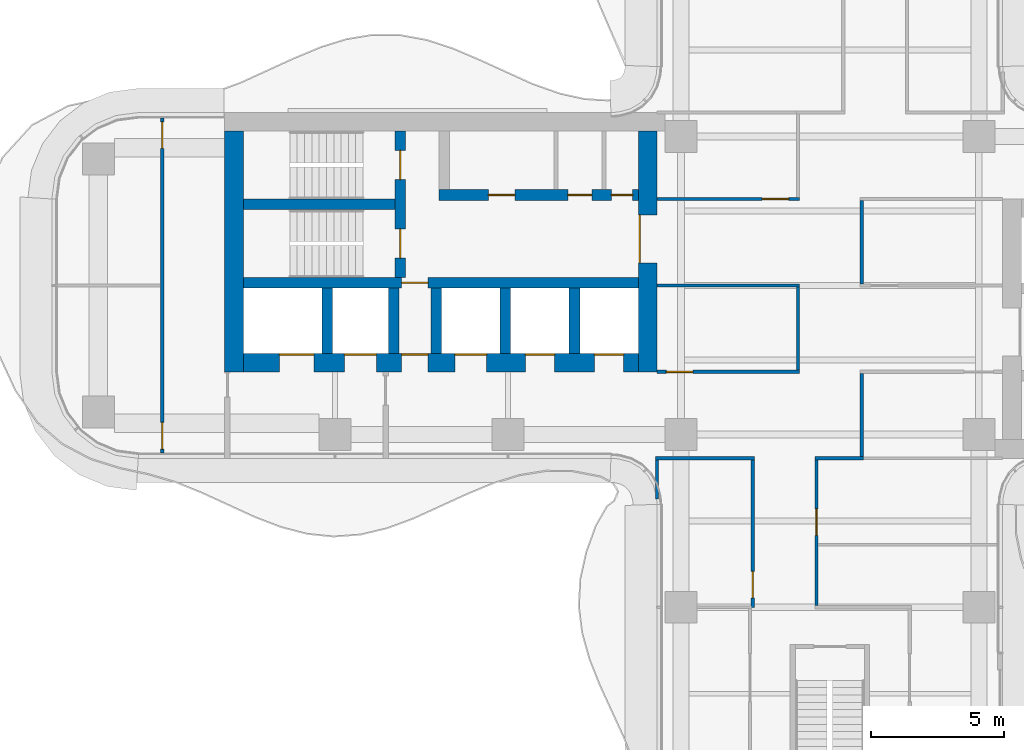
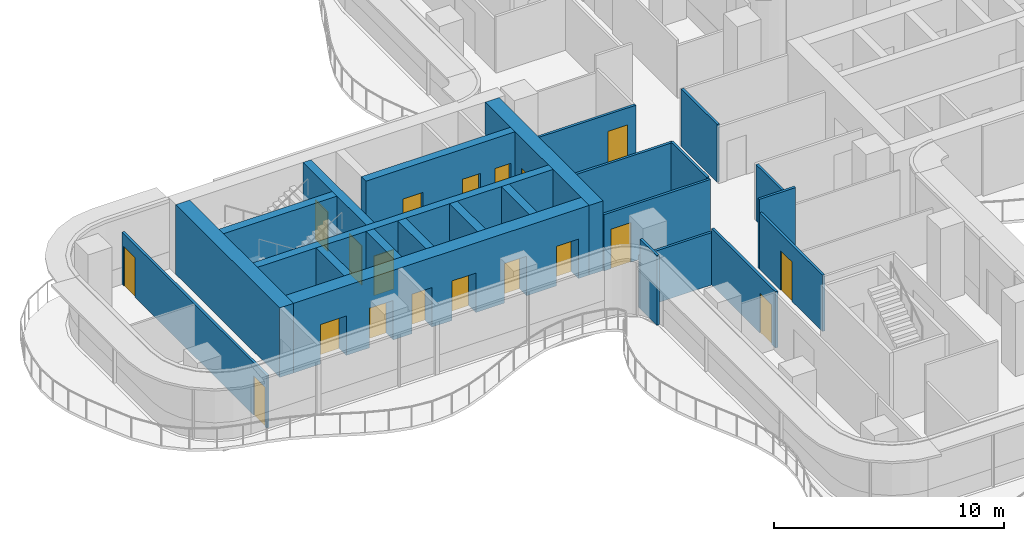
# One storey, part 13 of 18: 24 walls, 19 doors, 19 openings.
"""IFC4 building model written with IfcOpenShell, lengths in metres."""

from ifc_helpers import new_model, si_unit, direction, frame, frame_2d, origin, place, context, subcontext, project, spatial, rectangle, extrude, source, transform, mapped, material, layer, layer_set, type_object, element, fill, save


model = new_model("IFC4")

# Units and contexts
model_context = context("Model", 3, precision=1e-05, world=origin(), true_north=direction((0.0, 1.0)))
body_context = subcontext(model_context, "Body", "Model", "MODEL_VIEW")
ifc_project = project(units=[si_unit("LENGTHUNIT", "METRE"), si_unit("AREAUNIT", "SQUARE_METRE"), si_unit("VOLUMEUNIT", "CUBIC_METRE"), si_unit("PLANEANGLEUNIT", "RADIAN"), si_unit("MASSUNIT", "GRAM", prefix="KILO")], contexts=[model_context])

# Site, building, storey
site_placement = place(None, origin())
site = spatial("IfcSite", under=ifc_project, at=site_placement, CompositionType="ELEMENT")
building_placement = place(site_placement, origin())
building = spatial("IfcBuilding", under=site, at=building_placement, Name="Trellis Farm Tower", CompositionType="ELEMENT")
storey_placement = place(building_placement, frame((0.0, 0.0, 193.199951171875)))
storey = spatial("IfcBuildingStorey", under=building, at=storey_placement, Name="L42", CompositionType="ELEMENT", Elevation=193.199951171875)

# Wall, opening, door
ifc_material_1 = material(Name="Concrete C70/85", Category="concrete")
ifc_layer_1 = layer(ifc_material_1, 0.699951171875)
ifc_layer_set_1 = layer_set([ifc_layer_1], Name="CORE OUTER WALL 700 CONCRETE C70/85")
wall_type_1 = type_object("IfcWallType", Name="CORE OUTER WALL 700 CONCRETE C70/85", PredefinedType="SHEAR", material=ifc_layer_set_1)
shared_shape_1 = source(origin(), body_context, "Body", "SweptSolid", [
    extrude(rectangle(XDim=9.050048828125, YDim=0.699951171875, at=frame_2d((4.52490234375, 0.0))), origin(), (0.0, 0.0, 1.0), 3.699951171875),
])
wall_1_placement = place(storey_placement, frame((-6.85009765625, 5.800048828125, 0.0), z_axis=(0.0, 0.0, 1.0), x_axis=(0.0, -1.0, 0.0)))
wall_1 = element("IfcWall", 1, at=wall_1_placement, inside=storey, type_object=wall_type_1, Name="Core wall", PredefinedType="SHEAR", context=body_context, shape_type="MappedRepresentation", body=[
    mapped(shared_shape_1, transform((0.0, 0.0, 0.0))),
])
shared_shape_2 = source(origin(), body_context, "Body", "SweptSolid", [
    extrude(rectangle(XDim=1.800048828125, YDim=2.10009765625, at=frame_2d((0.89990234375, 1.050048828125))), frame((0.0, 0.360107421875, 0.0), z_axis=(0.0, -1.0, 0.0), x_axis=(1.0, 0.0, 0.0)), (0.0, 0.0, 1.0), 0.72021484375),
])
opening_1_placement = place(wall_1_placement, frame((3.14990234375, 0.0, 0.0)))
opening_1 = element("IfcOpeningElement", 2, at=opening_1_placement, cuts=wall_1, Name="Opening DC87", PredefinedType="OPENING", context=body_context, shape_type="MappedRepresentation", body=[
    mapped(shared_shape_2, transform((0.0, 0.0, 0.0))),
])
ifc_material_2 = material(Name="Steel", Category="steel")
door_type_1 = type_object("IfcDoorType", Name="CORE FIRE DOOR DOUBLE 1800 X 2100", OperationType="DOUBLE_DOOR_SINGLE_SWING", PredefinedType="DOOR", material=ifc_material_2)
shared_shape_3 = source(origin(), body_context, "Body", "SweptSolid", [
    extrude(rectangle(XDim=1.800048828125, YDim=2.10009765625, at=frame_2d((0.89990234375, 1.050048828125))), frame((0.0, -0.27490234375, 0.0), z_axis=(0.0, -1.0, 0.0), x_axis=(1.0, 0.0, 0.0)), (0.0, 0.0, 1.0), 0.050048828125),
])
door_1_placement = place(opening_1_placement, origin())
door_1 = element("IfcDoor", 3, at=door_1_placement, inside=storey, type_object=door_type_1, Name="Core door", OperationType="DOUBLE_DOOR_SINGLE_SWING", OverallHeight=2.10009765625, OverallWidth=1.800048828125, PredefinedType="DOOR", context=body_context, shape_type="MappedRepresentation", body=[
    mapped(shared_shape_3, transform((0.0, 0.0, 0.0))),
])
fill(opening_1, door_1)

# Walls
wall_2_placement = place(storey_placement, frame((-22.39990234375, 5.800048828125, 0.0), z_axis=(0.0, 0.0, 1.0), x_axis=(0.0, -1.0, 0.0)))
element("IfcWall", 4, at=wall_2_placement, inside=storey, type_object=wall_type_1, Name="Core wall", PredefinedType="SHEAR", context=body_context, shape_type="MappedRepresentation", body=[
    mapped(shared_shape_1, transform((0.0, 0.0, 0.0))),
])
ifc_layer_2 = layer(ifc_material_1, 0.39990234375)
ifc_layer_set_2 = layer_set([ifc_layer_2], Name="CORE INNER WALL 400 CONCRETE C70/85")
wall_type_2 = type_object("IfcWallType", Name="CORE INNER WALL 400 CONCRETE C70/85", PredefinedType="SHEAR", material=ifc_layer_set_2)
shared_shape_4 = source(origin(), body_context, "Body", "SweptSolid", [
    extrude(rectangle(XDim=2.449951171875, YDim=0.39990234375, at=frame_2d((1.22509765625, 0.0))), origin(), (0.0, 0.0, 1.0), 3.699951171875),
])
for number, where, z_axis, x_axis, name in (
    (5, (-9.60009765625, -0.10009765625, 0.0), (0.0, 0.0, 1.0), (0.0, -1.0, 0.0), "Core wall"),
    (6, (-12.199951171875, -0.10009765625, 0.0), (0.0, 0.0, 1.0), (0.0, -1.0, 0.0), "Core wall"),
    (7, (-14.800048828125, -0.10009765625, 0.0), (0.0, 0.0, 1.0), (0.0, -1.0, 0.0), "Core wall"),
    (8, (-16.39990234375, -0.10009765625, 0.0), (0.0, 0.0, 1.0), (0.0, -1.0, 0.0), "Core wall"),
    (9, (-18.89990234375, -0.10009765625, 0.0), (0.0, 0.0, 1.0), (0.0, -1.0, 0.0), "Core wall"),
):
    element("IfcWall", number, at=place(storey_placement, frame(where, z_axis=z_axis, x_axis=x_axis)), inside=storey, type_object=wall_type_2, Name=name, PredefinedType="SHEAR", context=body_context, shape_type="MappedRepresentation", body=[
        mapped(shared_shape_4, transform((0.0, 0.0, 0.0))),
    ])

# Wall, openings, doors
shared_shape_5 = source(origin(), body_context, "Body", "SweptSolid", [
    extrude(rectangle(XDim=14.85009765625, YDim=0.699951171875, at=frame_2d((7.425048828125, 0.0))), origin(), (0.0, 0.0, 1.0), 3.699951171875),
])
wall_3_placement = place(storey_placement, frame((-7.199951171875, -2.89990234375, 0.0), z_axis=(0.0, 0.0, 1.0), x_axis=(-1.0, 0.0, 0.0)))
wall_3 = element("IfcWall", 10, at=wall_3_placement, inside=storey, type_object=wall_type_1, Name="Core wall", PredefinedType="SHEAR", context=body_context, shape_type="MappedRepresentation", body=[
    mapped(shared_shape_5, transform((0.0, 0.0, 0.0))),
])
shared_shape_6 = source(origin(), body_context, "Body", "SweptSolid", [
    extrude(rectangle(XDim=1.10009765625, YDim=2.10009765625, at=frame_2d((0.550048828125, 1.050048828125))), frame((0.0, 0.360107421875, 0.0), z_axis=(0.0, -1.0, 0.0), x_axis=(1.0, 0.0, 0.0)), (0.0, 0.0, 1.0), 0.72021484375),
])
opening_2_placement = place(wall_3_placement, frame((0.550048828125, 0.0, 0.0)))
opening_2 = element("IfcOpeningElement", 11, at=opening_2_placement, cuts=wall_3, Name="Opening LD12", PredefinedType="OPENING", context=body_context, shape_type="MappedRepresentation", body=[
    mapped(shared_shape_6, transform((0.0, 0.0, 0.0))),
])
opening_3_placement = place(wall_3_placement, frame((3.14990234375, 0.0, 0.0)))
opening_3 = element("IfcOpeningElement", 12, at=opening_3_placement, cuts=wall_3, Name="Opening LD13", PredefinedType="OPENING", context=body_context, shape_type="MappedRepresentation", body=[
    mapped(shared_shape_6, transform((0.0, 0.0, 0.0))),
])
shared_shape_7 = source(origin(), body_context, "Body", "SweptSolid", [
    extrude(rectangle(XDim=1.199951171875, YDim=2.10009765625, at=frame_2d((0.60009765625, 1.050048828125))), frame((0.0, 0.360107421875, 0.0), z_axis=(0.0, -1.0, 0.0), x_axis=(1.0, 0.0, 0.0)), (0.0, 0.0, 1.0), 0.72021484375),
])
opening_4_placement = place(wall_3_placement, frame((5.699951171875, 0.0, 0.0)))
opening_4 = element("IfcOpeningElement", 13, at=opening_4_placement, cuts=wall_3, Name="Opening LD14", PredefinedType="OPENING", context=body_context, shape_type="MappedRepresentation", body=[
    mapped(shared_shape_7, transform((0.0, 0.0, 0.0))),
])
shared_shape_8 = source(origin(), body_context, "Body", "SweptSolid", [
    extrude(rectangle(XDim=1.300048828125, YDim=2.10009765625, at=frame_2d((0.64990234375, 1.050048828125))), frame((0.0, 0.360107421875, 0.0), z_axis=(0.0, -1.0, 0.0), x_axis=(1.0, 0.0, 0.0)), (0.0, 0.0, 1.0), 0.72021484375),
])
opening_5_placement = place(wall_3_placement, frame((12.199951171875, 0.0, 0.0)))
opening_5 = element("IfcOpeningElement", 14, at=opening_5_placement, cuts=wall_3, Name="Opening LD15", PredefinedType="OPENING", context=body_context, shape_type="MappedRepresentation", body=[
    mapped(shared_shape_8, transform((0.0, 0.0, 0.0))),
])
opening_6_placement = place(wall_3_placement, frame((9.85009765625, 0.0, 0.0)))
opening_6 = element("IfcOpeningElement", 15, at=opening_6_placement, cuts=wall_3, Name="Opening LD16", PredefinedType="OPENING", context=body_context, shape_type="MappedRepresentation", body=[
    mapped(shared_shape_7, transform((0.0, 0.0, 0.0))),
])
shared_shape_9 = source(origin(), body_context, "Body", "SweptSolid", [
    extrude(rectangle(XDim=1.0, YDim=2.10009765625, at=frame_2d((0.5, 1.050048828125))), frame((0.0, 0.360107421875, 0.0), z_axis=(0.0, -1.0, 0.0), x_axis=(1.0, 0.0, 0.0)), (0.0, 0.0, 1.0), 0.72021484375),
])
opening_7_placement = place(wall_3_placement, frame((7.89990234375, 0.0, 0.0)))
opening_7 = element("IfcOpeningElement", 16, at=opening_7_placement, cuts=wall_3, Name="Opening DC92", PredefinedType="OPENING", context=body_context, shape_type="MappedRepresentation", body=[
    mapped(shared_shape_9, transform((0.0, 0.0, 0.0))),
])
door_type_2 = type_object("IfcDoorType", Name="CORE FIRE DOOR 1000 X 2100", OperationType="NOTDEFINED", PredefinedType="DOOR", material=ifc_material_2)
shared_shape_10 = source(origin(), body_context, "Body", "SweptSolid", [
    extrude(rectangle(XDim=1.0, YDim=2.10009765625, at=frame_2d((0.5, 1.050048828125))), frame((0.0, -0.27490234375, 0.0), z_axis=(0.0, -1.0, 0.0), x_axis=(1.0, 0.0, 0.0)), (0.0, 0.0, 1.0), 0.050048828125),
])
door_2_placement = place(opening_7_placement, origin())
door_2 = element("IfcDoor", 17, at=door_2_placement, inside=storey, type_object=door_type_2, Name="Core door", OperationType="SINGLE_SWING_LEFT", OverallHeight=2.10009765625, OverallWidth=1.0, PredefinedType="DOOR", context=body_context, shape_type="MappedRepresentation", body=[
    mapped(shared_shape_10, transform((0.0, 0.0, 0.0))),
])
fill(opening_7, door_2)
ifc_material_3 = material(Name="Stainless steel", Category="steel")
door_type_3 = type_object("IfcDoorType", Name="LIFT LANDING DOOR 1300 X 2100", OperationType="DOUBLE_DOOR_SLIDING", PredefinedType="DOOR", material=ifc_material_3)
shared_shape_11 = source(origin(), body_context, "Body", "SweptSolid", [
    extrude(rectangle(XDim=1.300048828125, YDim=2.10009765625, at=frame_2d((0.64990234375, 1.050048828125))), frame((0.0, -0.27490234375, 0.0), z_axis=(0.0, -1.0, 0.0), x_axis=(1.0, 0.0, 0.0)), (0.0, 0.0, 1.0), 0.050048828125),
])
door_3_placement = place(opening_5_placement, origin())
door_3 = element("IfcDoor", 18, at=door_3_placement, inside=storey, type_object=door_type_3, Name="Lift landing door", OperationType="DOUBLE_DOOR_SLIDING", OverallHeight=2.10009765625, OverallWidth=1.300048828125, PredefinedType="DOOR", context=body_context, shape_type="MappedRepresentation", body=[
    mapped(shared_shape_11, transform((0.0, 0.0, 0.0))),
])
fill(opening_5, door_3)
door_type_4 = type_object("IfcDoorType", Name="LIFT LANDING DOOR 1200 X 2100", OperationType="DOUBLE_DOOR_SLIDING", PredefinedType="DOOR", material=ifc_material_3)
shared_shape_12 = source(origin(), body_context, "Body", "SweptSolid", [
    extrude(rectangle(XDim=1.199951171875, YDim=2.10009765625, at=frame_2d((0.60009765625, 1.050048828125))), frame((0.0, -0.27490234375, 0.0), z_axis=(0.0, -1.0, 0.0), x_axis=(1.0, 0.0, 0.0)), (0.0, 0.0, 1.0), 0.050048828125),
])
door_4_placement = place(opening_4_placement, origin())
door_4 = element("IfcDoor", 19, at=door_4_placement, inside=storey, type_object=door_type_4, Name="Lift landing door", OperationType="DOUBLE_DOOR_SLIDING", OverallHeight=2.10009765625, OverallWidth=1.199951171875, PredefinedType="DOOR", context=body_context, shape_type="MappedRepresentation", body=[
    mapped(shared_shape_12, transform((0.0, 0.0, 0.0))),
])
fill(opening_4, door_4)
door_5_placement = place(opening_6_placement, origin())
door_5 = element("IfcDoor", 20, at=door_5_placement, inside=storey, type_object=door_type_4, Name="Lift landing door", OperationType="DOUBLE_DOOR_SLIDING", OverallHeight=2.10009765625, OverallWidth=1.199951171875, PredefinedType="DOOR", context=body_context, shape_type="MappedRepresentation", body=[
    mapped(shared_shape_12, transform((0.0, 0.0, 0.0))),
])
fill(opening_6, door_5)
door_type_5 = type_object("IfcDoorType", Name="LIFT LANDING DOOR 1100 X 2100", OperationType="DOUBLE_DOOR_SLIDING", PredefinedType="DOOR", material=ifc_material_3)
shared_shape_13 = source(origin(), body_context, "Body", "SweptSolid", [
    extrude(rectangle(XDim=1.10009765625, YDim=2.10009765625, at=frame_2d((0.550048828125, 1.050048828125))), frame((0.0, -0.27490234375, 0.0), z_axis=(0.0, -1.0, 0.0), x_axis=(1.0, 0.0, 0.0)), (0.0, 0.0, 1.0), 0.050048828125),
])
door_6_placement = place(opening_2_placement, origin())
door_6 = element("IfcDoor", 21, at=door_6_placement, inside=storey, type_object=door_type_5, Name="Lift landing door", OperationType="DOUBLE_DOOR_SLIDING", OverallHeight=2.10009765625, OverallWidth=1.10009765625, PredefinedType="DOOR", context=body_context, shape_type="MappedRepresentation", body=[
    mapped(shared_shape_13, transform((0.0, 0.0, 0.0))),
])
fill(opening_2, door_6)
door_7_placement = place(opening_3_placement, origin())
door_7 = element("IfcDoor", 22, at=door_7_placement, inside=storey, type_object=door_type_5, Name="Lift landing door", OperationType="DOUBLE_DOOR_SLIDING", OverallHeight=2.10009765625, OverallWidth=1.10009765625, PredefinedType="DOOR", context=body_context, shape_type="MappedRepresentation", body=[
    mapped(shared_shape_13, transform((0.0, 0.0, 0.0))),
])
fill(opening_3, door_7)

shared_shape_14 = source(origin(), body_context, "Body", "SweptSolid", [
    extrude(rectangle(XDim=7.5, YDim=0.39990234375, at=frame_2d((3.75, 0.0))), origin(), (0.0, 0.0, 1.0), 3.699951171875),
])
wall_4_placement = place(storey_placement, frame((-7.199951171875, 3.39990234375, 0.0), z_axis=(0.0, 0.0, 1.0), x_axis=(-1.0, 0.0, 0.0)))
wall_4 = element("IfcWall", 23, at=wall_4_placement, inside=storey, type_object=wall_type_2, Name="Core wall", PredefinedType="SHEAR", context=body_context, shape_type="MappedRepresentation", body=[
    mapped(shared_shape_14, transform((0.0, 0.0, 0.0))),
])
shared_shape_15 = source(origin(), body_context, "Body", "SweptSolid", [
    extrude(rectangle(XDim=0.800048828125, YDim=2.10009765625, at=frame_2d((0.39990234375, 1.050048828125))), frame((0.0, 0.2099609375, 0.0), z_axis=(0.0, -1.0, 0.0), x_axis=(1.0, 0.0, 0.0)), (0.0, 0.0, 1.0), 0.419921875),
])
opening_8_placement = place(wall_4_placement, frame((0.21240234375, 0.0, 0.0)))
opening_8 = element("IfcOpeningElement", 24, at=opening_8_placement, cuts=wall_4, Name="Opening DC137", PredefinedType="OPENING", context=body_context, shape_type="MappedRepresentation", body=[
    mapped(shared_shape_15, transform((0.0, 0.0, 0.0))),
])
shared_shape_16 = source(origin(), body_context, "Body", "SweptSolid", [
    extrude(rectangle(XDim=0.89990234375, YDim=2.10009765625, at=frame_2d((0.449951171875, 1.050048828125))), frame((0.0, 0.2099609375, 0.0), z_axis=(0.0, -1.0, 0.0), x_axis=(1.0, 0.0, 0.0)), (0.0, 0.0, 1.0), 0.419921875),
])
opening_9_placement = place(wall_4_placement, frame((1.75, 0.0, 0.0)))
opening_9 = element("IfcOpeningElement", 25, at=opening_9_placement, cuts=wall_4, Name="Opening DC146", PredefinedType="OPENING", context=body_context, shape_type="MappedRepresentation", body=[
    mapped(shared_shape_16, transform((0.0, 0.0, 0.0))),
])
shared_shape_17 = source(origin(), body_context, "Body", "SweptSolid", [
    extrude(rectangle(XDim=1.0, YDim=2.10009765625, at=frame_2d((0.5, 1.050048828125))), frame((0.0, 0.2099609375, 0.0), z_axis=(0.0, -1.0, 0.0), x_axis=(1.0, 0.0, 0.0)), (0.0, 0.0, 1.0), 0.419921875),
])
opening_10_placement = place(wall_4_placement, frame((4.637451171875, 0.0, 0.0)))
opening_10 = element("IfcOpeningElement", 26, at=opening_10_placement, cuts=wall_4, Name="Opening DC153", PredefinedType="OPENING", context=body_context, shape_type="MappedRepresentation", body=[
    mapped(shared_shape_17, transform((0.0, 0.0, 0.0))),
])
shared_shape_18 = source(origin(), body_context, "Body", "SweptSolid", [
    extrude(rectangle(XDim=1.0, YDim=2.10009765625, at=frame_2d((0.5, 1.050048828125))), frame((0.0, 0.02490234375, 0.0), z_axis=(0.0, -1.0, 0.0), x_axis=(1.0, 0.0, 0.0)), (0.0, 0.0, 1.0), 0.050048828125),
])
door_8_placement = place(opening_10_placement, origin())
door_8 = element("IfcDoor", 27, at=door_8_placement, inside=storey, type_object=door_type_2, Name="Core door", OperationType="SINGLE_SWING_LEFT", OverallHeight=2.10009765625, OverallWidth=1.0, PredefinedType="DOOR", context=body_context, shape_type="MappedRepresentation", body=[
    mapped(shared_shape_18, transform((0.0, 0.0, 0.0))),
])
fill(opening_10, door_8)
door_type_6 = type_object("IfcDoorType", Name="CORE FIRE DOOR 900 X 2100", OperationType="NOTDEFINED", PredefinedType="DOOR", material=ifc_material_2)
shared_shape_19 = source(origin(), body_context, "Body", "SweptSolid", [
    extrude(rectangle(XDim=0.89990234375, YDim=2.10009765625, at=frame_2d((0.449951171875, 1.050048828125))), frame((0.0, 0.02490234375, 0.0), z_axis=(0.0, -1.0, 0.0), x_axis=(1.0, 0.0, 0.0)), (0.0, 0.0, 1.0), 0.050048828125),
])
door_9_placement = place(opening_9_placement, origin())
door_9 = element("IfcDoor", 28, at=door_9_placement, inside=storey, type_object=door_type_6, Name="Core door", OperationType="SINGLE_SWING_RIGHT", OverallHeight=2.10009765625, OverallWidth=0.89990234375, PredefinedType="DOOR", context=body_context, shape_type="MappedRepresentation", body=[
    mapped(shared_shape_19, transform((0.0, 0.0, 0.0))),
])
fill(opening_9, door_9)
door_type_7 = type_object("IfcDoorType", Name="CORE FIRE DOOR 800 X 2100", OperationType="NOTDEFINED", PredefinedType="DOOR", material=ifc_material_2)
shared_shape_20 = source(origin(), body_context, "Body", "SweptSolid", [
    extrude(rectangle(XDim=0.800048828125, YDim=2.10009765625, at=frame_2d((0.39990234375, 1.050048828125))), frame((0.0, 0.02490234375, 0.0), z_axis=(0.0, -1.0, 0.0), x_axis=(1.0, 0.0, 0.0)), (0.0, 0.0, 1.0), 0.050048828125),
])
door_10_placement = place(opening_8_placement, origin())
door_10 = element("IfcDoor", 29, at=door_10_placement, inside=storey, type_object=door_type_7, Name="Core door", OperationType="SINGLE_SWING_LEFT", OverallHeight=2.10009765625, OverallWidth=0.800048828125, PredefinedType="DOOR", context=body_context, shape_type="MappedRepresentation", body=[
    mapped(shared_shape_20, transform((0.0, 0.0, 0.0))),
])
fill(opening_8, door_10)

# Wall, opening, door
shared_shape_21 = source(origin(), body_context, "Body", "SweptSolid", [
    extrude(rectangle(XDim=14.85009765625, YDim=0.39990234375, at=frame_2d((7.425048828125, 0.0))), origin(), (0.0, 0.0, 1.0), 3.699951171875),
])
wall_5_placement = place(storey_placement, frame((-7.199951171875, 0.10009765625, 0.0), z_axis=(0.0, 0.0, 1.0), x_axis=(-1.0, 0.0, 0.0)))
wall_5 = element("IfcWall", 30, at=wall_5_placement, inside=storey, type_object=wall_type_2, Name="Core wall", PredefinedType="SHEAR", context=body_context, shape_type="MappedRepresentation", body=[
    mapped(shared_shape_21, transform((0.0, 0.0, 0.0))),
])
opening_11_placement = place(wall_5_placement, frame((7.89990234375, 0.0, 0.0)))
opening_11 = element("IfcOpeningElement", 31, at=opening_11_placement, cuts=wall_5, Name="Opening DC91", PredefinedType="OPENING", context=body_context, shape_type="MappedRepresentation", body=[
    mapped(shared_shape_17, transform((0.0, 0.0, 0.0))),
])
door_11_placement = place(opening_11_placement, origin())
door_11 = element("IfcDoor", 32, at=door_11_placement, inside=storey, type_object=door_type_2, Name="Core door", OperationType="SINGLE_SWING_RIGHT", OverallHeight=2.10009765625, OverallWidth=1.0, PredefinedType="DOOR", context=body_context, shape_type="MappedRepresentation", body=[
    mapped(shared_shape_18, transform((0.0, 0.0, 0.0))),
])
fill(opening_11, door_11)

# Wall, openings, doors
shared_shape_22 = source(origin(), body_context, "Body", "SweptSolid", [
    extrude(rectangle(XDim=5.5, YDim=0.39990234375, at=frame_2d((2.75, 0.0))), origin(), (0.0, 0.0, 1.0), 3.699951171875),
])
wall_6_placement = place(storey_placement, frame((-16.14990234375, 5.800048828125, 0.0), z_axis=(0.0, 0.0, 1.0), x_axis=(0.0, -1.0, 0.0)))
wall_6 = element("IfcWall", 33, at=wall_6_placement, inside=storey, type_object=wall_type_2, Name="Core wall", PredefinedType="SHEAR", context=body_context, shape_type="MappedRepresentation", body=[
    mapped(shared_shape_22, transform((0.0, 0.0, 0.0))),
])
shared_shape_23 = source(origin(), body_context, "Body", "SweptSolid", [
    extrude(rectangle(XDim=1.10009765625, YDim=2.10009765625, at=frame_2d((0.550048828125, 1.050048828125))), frame((0.0, 0.2099609375, 0.0), z_axis=(0.0, -1.0, 0.0), x_axis=(1.0, 0.0, 0.0)), (0.0, 0.0, 1.0), 0.419921875),
])
opening_12_placement = place(wall_6_placement, frame((0.72509765625, 0.0, 0.0)))
opening_12 = element("IfcOpeningElement", 34, at=opening_12_placement, cuts=wall_6, Name="Opening DC88", PredefinedType="OPENING", context=body_context, shape_type="MappedRepresentation", body=[
    mapped(shared_shape_23, transform((0.0, 0.0, 0.0))),
])
opening_13_placement = place(wall_6_placement, frame((3.675048828125, 0.0, 0.0)))
opening_13 = element("IfcOpeningElement", 35, at=opening_13_placement, cuts=wall_6, Name="Opening DC89", PredefinedType="OPENING", context=body_context, shape_type="MappedRepresentation", body=[
    mapped(shared_shape_23, transform((0.0, 0.0, 0.0))),
])
door_type_8 = type_object("IfcDoorType", Name="CORE FIRE DOOR 1100 X 2100", OperationType="NOTDEFINED", PredefinedType="DOOR", material=ifc_material_2)
shared_shape_24 = source(origin(), body_context, "Body", "SweptSolid", [
    extrude(rectangle(XDim=1.10009765625, YDim=2.10009765625, at=frame_2d((0.550048828125, 1.050048828125))), frame((0.0, 0.02490234375, 0.0), z_axis=(0.0, -1.0, 0.0), x_axis=(1.0, 0.0, 0.0)), (0.0, 0.0, 1.0), 0.050048828125),
])
door_12_placement = place(opening_12_placement, origin())
door_12 = element("IfcDoor", 36, at=door_12_placement, inside=storey, type_object=door_type_8, Name="Core door", OperationType="SINGLE_SWING_RIGHT", OverallHeight=2.10009765625, OverallWidth=1.10009765625, PredefinedType="DOOR", context=body_context, shape_type="MappedRepresentation", body=[
    mapped(shared_shape_24, transform((0.0, 0.0, 0.0))),
])
fill(opening_12, door_12)
door_13_placement = place(opening_13_placement, origin())
door_13 = element("IfcDoor", 37, at=door_13_placement, inside=storey, type_object=door_type_8, Name="Core door", OperationType="SINGLE_SWING_LEFT", OverallHeight=2.10009765625, OverallWidth=1.10009765625, PredefinedType="DOOR", context=body_context, shape_type="MappedRepresentation", body=[
    mapped(shared_shape_24, transform((0.0, 0.0, 0.0))),
])
fill(opening_13, door_13)

# Wall
shared_shape_25 = source(origin(), body_context, "Body", "SweptSolid", [
    extrude(rectangle(XDim=5.699951171875, YDim=0.39990234375, at=frame_2d((2.85009765625, 0.0))), origin(), (0.0, 0.0, 1.0), 3.699951171875),
])
wall_7_placement = place(storey_placement, frame((-16.35009765625, 3.050048828125, 0.0), z_axis=(0.0, 0.0, 1.0), x_axis=(-1.0, 0.0, 0.0)))
element("IfcWall", 38, at=wall_7_placement, inside=storey, type_object=wall_type_2, Name="Core wall", PredefinedType="SHEAR", context=body_context, shape_type="MappedRepresentation", body=[
    mapped(shared_shape_25, transform((0.0, 0.0, 0.0))),
])

# Wall, opening, door
ifc_material_4 = material(Name="Plasterboard on steel studs, mineral wool", Category="steel")
ifc_layer_3 = layer(ifc_material_4, 0.125)
ifc_layer_set_3 = layer_set([ifc_layer_3], Name="PARTITION 125 STUD EI 60")
wall_type_3 = type_object("IfcWallType", Name="PARTITION 125 STUD EI 60", PredefinedType="PARTITIONING", material=ifc_layer_set_3)
shared_shape_26 = source(origin(), body_context, "Body", "SweptSolid", [
    extrude(rectangle(XDim=5.47509765625, YDim=0.125, at=frame_2d((2.737548828125, 0.0))), origin(), (0.0, 0.0, 1.0), 2.99658203125),
])
wall_8_placement = place(storey_placement, frame((-0.5, -6.5625, 0.0), z_axis=(0.0, 0.0, 1.0), x_axis=(0.0, -1.0, 0.0)))
wall_8 = element("IfcWall", 39, at=wall_8_placement, inside=storey, type_object=wall_type_3, Name="Partition PW1", PredefinedType="PARTITIONING", context=body_context, shape_type="MappedRepresentation", body=[
    mapped(shared_shape_26, transform((0.0, 0.0, 0.0))),
])
shared_shape_27 = source(origin(), body_context, "Body", "SweptSolid", [
    extrude(rectangle(XDim=1.0, YDim=2.10009765625, at=frame_2d((0.5, 1.050048828125))), frame((0.0, 0.072509765625, 0.0), z_axis=(0.0, -1.0, 0.0), x_axis=(1.0, 0.0, 0.0)), (0.0, 0.0, 1.0), 0.14501953125),
])
opening_14_placement = place(wall_8_placement, frame((1.83740234375, 0.0, 0.0)))
opening_14 = element("IfcOpeningElement", 40, at=opening_14_placement, cuts=wall_8, Name="Opening D102", PredefinedType="OPENING", context=body_context, shape_type="MappedRepresentation", body=[
    mapped(shared_shape_27, transform((0.0, 0.0, 0.0))),
])
ifc_material_5 = material(Name="Fire-rated timber door leaf in a hollow metal frame", Category="wood")
door_type_9 = type_object("IfcDoorType", Name="DOOR 1000x2100 FD30S", OperationType="NOTDEFINED", PredefinedType="DOOR", material=ifc_material_5)
door_14_placement = place(opening_14_placement, origin())
door_14 = element("IfcDoor", 41, at=door_14_placement, inside=storey, type_object=door_type_9, Name="Door D102", OperationType="SINGLE_SWING_RIGHT", OverallHeight=2.10009765625, OverallWidth=1.0, PredefinedType="DOOR", context=body_context, shape_type="MappedRepresentation", body=[
    mapped(shared_shape_18, transform((0.0, 0.0, 0.0))),
])
fill(opening_14, door_14)

# Walls
shared_shape_28 = source(origin(), body_context, "Body", "SweptSolid", [
    extrude(rectangle(XDim=3.137451171875, YDim=0.125, at=frame_2d((1.56884765625, 0.0))), origin(), (0.0, 0.0, 1.0), 2.99658203125),
])
wall_9_placement = place(storey_placement, frame((1.199951171875, -3.3125, 0.0), z_axis=(0.0, 0.0, 1.0), x_axis=(0.0, -1.0, 0.0)))
element("IfcWall", 42, at=wall_9_placement, inside=storey, type_object=wall_type_3, Name="Partition PW1", PredefinedType="PARTITIONING", context=body_context, shape_type="MappedRepresentation", body=[
    mapped(shared_shape_28, transform((0.0, 0.0, 0.0))),
])
shared_shape_29 = source(origin(), body_context, "Body", "SweptSolid", [
    extrude(rectangle(XDim=3.125, YDim=0.125, at=frame_2d((1.5625, 0.0))), origin(), (0.0, 0.0, 1.0), 3.06787109375),
])
for number, where, z_axis, x_axis, name in (
    (43, (-1.199951171875, -0.0625, 0.0), (0.0, 0.0, 1.0), (0.0, -1.0, 0.0), "Partition PW1"),
    (44, (1.199951171875, 3.1875, 0.0), (0.0, 0.0, 1.0), (0.0, -1.0, 0.0), "Partition PW1"),
):
    element("IfcWall", number, at=place(storey_placement, frame(where, z_axis=z_axis, x_axis=x_axis)), inside=storey, type_object=wall_type_3, Name=name, PredefinedType="PARTITIONING", context=body_context, shape_type="MappedRepresentation", body=[
        mapped(shared_shape_29, transform((0.0, 0.0, 0.0))),
    ])

# Wall, opening, door
shared_shape_30 = source(origin(), body_context, "Body", "SweptSolid", [
    extrude(rectangle(XDim=5.53759765625, YDim=0.125, at=frame_2d((2.768798828125, 0.0))), origin(), (0.0, 0.0, 1.0), 2.99658203125),
])
wall_10_placement = place(storey_placement, frame((-2.89990234375, -12.10009765625, 0.0), z_axis=(0.0, 0.0, 1.0), x_axis=(0.0, 1.0, 0.0)))
wall_10 = element("IfcWall", 45, at=wall_10_placement, inside=storey, type_object=wall_type_3, Name="Partition PW1", PredefinedType="PARTITIONING", context=body_context, shape_type="MappedRepresentation", body=[
    mapped(shared_shape_30, transform((0.0, 0.0, 0.0))),
])
opening_15_placement = place(wall_10_placement, frame((0.35009765625, 0.0, 0.0)))
opening_15 = element("IfcOpeningElement", 46, at=opening_15_placement, cuts=wall_10, Name="Opening D101", PredefinedType="OPENING", context=body_context, shape_type="MappedRepresentation", body=[
    mapped(shared_shape_27, transform((0.0, 0.0, 0.0))),
])
door_15_placement = place(opening_15_placement, origin())
door_15 = element("IfcDoor", 47, at=door_15_placement, inside=storey, type_object=door_type_9, Name="Door D101", OperationType="SINGLE_SWING_LEFT", OverallHeight=2.10009765625, OverallWidth=1.0, PredefinedType="DOOR", context=body_context, shape_type="MappedRepresentation", body=[
    mapped(shared_shape_18, transform((0.0, 0.0, 0.0))),
])
fill(opening_15, door_15)

# Wall
shared_shape_31 = source(origin(), body_context, "Body", "SweptSolid", [
    extrude(rectangle(XDim=1.468994140625, YDim=0.125, at=frame_2d((0.734375, 0.0))), origin(), (0.0, 0.0, 1.0), 3.699951171875),
])
wall_11_placement = place(storey_placement, frame((-6.5, -6.5625, 0.0), z_axis=(0.0, 0.0, 1.0), x_axis=(0.0, -1.0, 0.0)))
element("IfcWall", 48, at=wall_11_placement, inside=storey, type_object=wall_type_3, Name="Partition PW1", PredefinedType="PARTITIONING", context=body_context, shape_type="MappedRepresentation", body=[
    mapped(shared_shape_31, transform((0.0, 0.0, 0.0))),
])

# Wall, openings, doors
shared_shape_32 = source(origin(), body_context, "Body", "SweptSolid", [
    extrude(rectangle(XDim=12.60009765625, YDim=0.125, at=frame_2d((6.300048828125, 0.0))), origin(), (0.0, 0.0, 1.0), 2.780029296875),
])
wall_12_placement = place(storey_placement, frame((-25.10009765625, -6.300048828125, 0.0), z_axis=(0.0, 0.0, 1.0), x_axis=(0.0, 1.0, 0.0)))
wall_12 = element("IfcWall", 49, at=wall_12_placement, inside=storey, type_object=wall_type_3, Name="Partition PW1", PredefinedType="PARTITIONING", context=body_context, shape_type="MappedRepresentation", body=[
    mapped(shared_shape_32, transform((0.0, 0.0, 0.0))),
])
opening_16_placement = place(wall_12_placement, frame((0.14990234375, 0.0, 0.0)))
opening_16 = element("IfcOpeningElement", 50, at=opening_16_placement, cuts=wall_12, Name="Opening D103", PredefinedType="OPENING", context=body_context, shape_type="MappedRepresentation", body=[
    mapped(shared_shape_27, transform((0.0, 0.0, 0.0))),
])
opening_17_placement = place(wall_12_placement, frame((11.449951171875, 0.0, 0.0)))
opening_17 = element("IfcOpeningElement", 51, at=opening_17_placement, cuts=wall_12, Name="Opening D109", PredefinedType="OPENING", context=body_context, shape_type="MappedRepresentation", body=[
    mapped(shared_shape_27, transform((0.0, 0.0, 0.0))),
])
door_16_placement = place(opening_16_placement, origin())
door_16 = element("IfcDoor", 52, at=door_16_placement, inside=storey, type_object=door_type_9, Name="Door D103", OperationType="SINGLE_SWING_LEFT", OverallHeight=2.10009765625, OverallWidth=1.0, PredefinedType="DOOR", context=body_context, shape_type="MappedRepresentation", body=[
    mapped(shared_shape_18, transform((0.0, 0.0, 0.0))),
])
fill(opening_16, door_16)
door_17_placement = place(opening_17_placement, origin())
door_17 = element("IfcDoor", 53, at=door_17_placement, inside=storey, type_object=door_type_9, Name="Door D109", OperationType="SINGLE_SWING_RIGHT", OverallHeight=2.10009765625, OverallWidth=1.0, PredefinedType="DOOR", context=body_context, shape_type="MappedRepresentation", body=[
    mapped(shared_shape_18, transform((0.0, 0.0, 0.0))),
])
fill(opening_17, door_17)

# Wall, opening, door
shared_shape_33 = source(origin(), body_context, "Body", "SweptSolid", [
    extrude(rectangle(XDim=5.362548828125, YDim=0.125, at=frame_2d((2.68115234375, 0.0))), origin(), (0.0, 0.0, 1.0), 2.99658203125),
])
wall_13_placement = place(storey_placement, frame((-1.137451171875, -3.25, 0.0), z_axis=(0.0, 0.0, 1.0), x_axis=(-1.0, 0.0, 0.0)))
wall_13 = element("IfcWall", 54, at=wall_13_placement, inside=storey, type_object=wall_type_3, Name="Partition PW1", PredefinedType="PARTITIONING", context=body_context, shape_type="MappedRepresentation", body=[
    mapped(shared_shape_33, transform((0.0, 0.0, 0.0))),
])
opening_18_placement = place(wall_13_placement, frame((4.012451171875, 0.0, 0.0)))
opening_18 = element("IfcOpeningElement", 55, at=opening_18_placement, cuts=wall_13, Name="Opening D104", PredefinedType="OPENING", context=body_context, shape_type="MappedRepresentation", body=[
    mapped(shared_shape_27, transform((0.0, 0.0, 0.0))),
])
door_18_placement = place(opening_18_placement, origin())
door_18 = element("IfcDoor", 56, at=door_18_placement, inside=storey, type_object=door_type_9, Name="Door D104", OperationType="SINGLE_SWING_RIGHT", OverallHeight=2.10009765625, OverallWidth=1.0, PredefinedType="DOOR", context=body_context, shape_type="MappedRepresentation", body=[
    mapped(shared_shape_18, transform((0.0, 0.0, 0.0))),
])
fill(opening_18, door_18)

# Wall
wall_14_placement = place(storey_placement, frame((-1.137451171875, 0.0, 0.0), z_axis=(0.0, 0.0, 1.0), x_axis=(-1.0, 0.0, 0.0)))
element("IfcWall", 57, at=wall_14_placement, inside=storey, type_object=wall_type_3, Name="Partition PW1", PredefinedType="PARTITIONING", context=body_context, shape_type="MappedRepresentation", body=[
    mapped(shared_shape_33, transform((0.0, 0.0, 0.0))),
])

# Wall, opening, door
wall_15_placement = place(storey_placement, frame((-6.5, 3.25, 0.0), z_axis=(0.0, 0.0, 1.0), x_axis=(1.0, 0.0, 0.0)))
wall_15 = element("IfcWall", 58, at=wall_15_placement, inside=storey, type_object=wall_type_3, Name="Partition PW1", PredefinedType="PARTITIONING", context=body_context, shape_type="MappedRepresentation", body=[
    mapped(shared_shape_33, transform((0.0, 0.0, 0.0))),
])
opening_19_placement = place(wall_15_placement, frame((3.949951171875, 0.0, 0.0)))
opening_19 = element("IfcOpeningElement", 59, at=opening_19_placement, cuts=wall_15, Name="Opening D108", PredefinedType="OPENING", context=body_context, shape_type="MappedRepresentation", body=[
    mapped(shared_shape_27, transform((0.0, 0.0, 0.0))),
])
door_19_placement = place(opening_19_placement, origin())
door_19 = element("IfcDoor", 60, at=door_19_placement, inside=storey, type_object=door_type_9, Name="Door D108", OperationType="SINGLE_SWING_RIGHT", OverallHeight=2.10009765625, OverallWidth=1.0, PredefinedType="DOOR", context=body_context, shape_type="MappedRepresentation", body=[
    mapped(shared_shape_18, transform((0.0, 0.0, 0.0))),
])
fill(opening_19, door_19)

# Walls
shared_shape_34 = source(origin(), body_context, "Body", "SweptSolid", [
    extrude(rectangle(XDim=1.824951171875, YDim=0.125, at=frame_2d((0.91259765625, 0.0))), origin(), (0.0, 0.0, 1.0), 3.699951171875),
])
wall_16_placement = place(storey_placement, frame((1.262451171875, -6.5, 0.0), z_axis=(0.0, 0.0, 1.0), x_axis=(-1.0, 0.0, 0.0)))
element("IfcWall", 61, at=wall_16_placement, inside=storey, type_object=wall_type_3, Name="Partition PW1", PredefinedType="PARTITIONING", context=body_context, shape_type="MappedRepresentation", body=[
    mapped(shared_shape_34, transform((0.0, 0.0, 0.0))),
])
shared_shape_35 = source(origin(), body_context, "Body", "SweptSolid", [
    extrude(rectangle(XDim=3.72509765625, YDim=0.125, at=frame_2d((1.862548828125, 0.0))), origin(), (0.0, 0.0, 1.0), 2.780029296875),
])
wall_17_placement = place(storey_placement, frame((-2.83740234375, -6.5, 0.0), z_axis=(0.0, 0.0, 1.0), x_axis=(-1.0, 0.0, 0.0)))
element("IfcWall", 62, at=wall_17_placement, inside=storey, type_object=wall_type_3, Name="Partition PW1", PredefinedType="PARTITIONING", context=body_context, shape_type="MappedRepresentation", body=[
    mapped(shared_shape_35, transform((0.0, 0.0, 0.0))),
])

save(model, "model.ifc")
